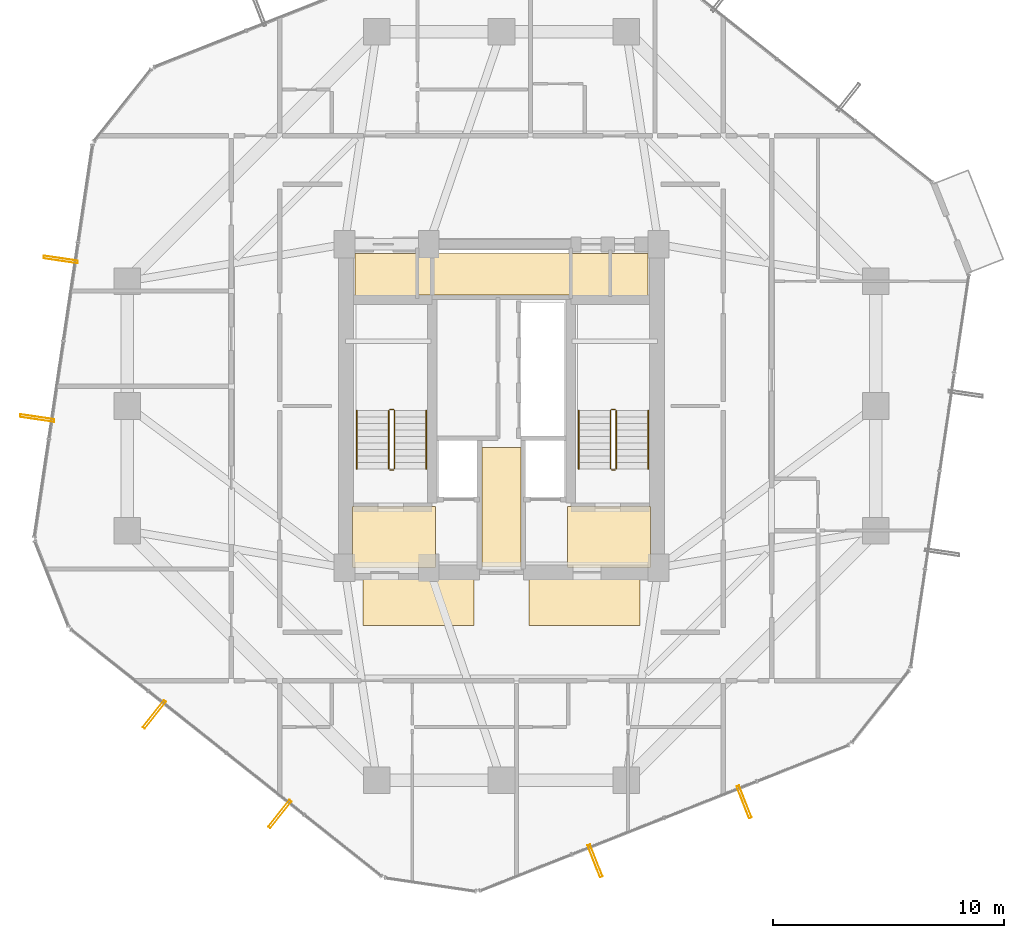
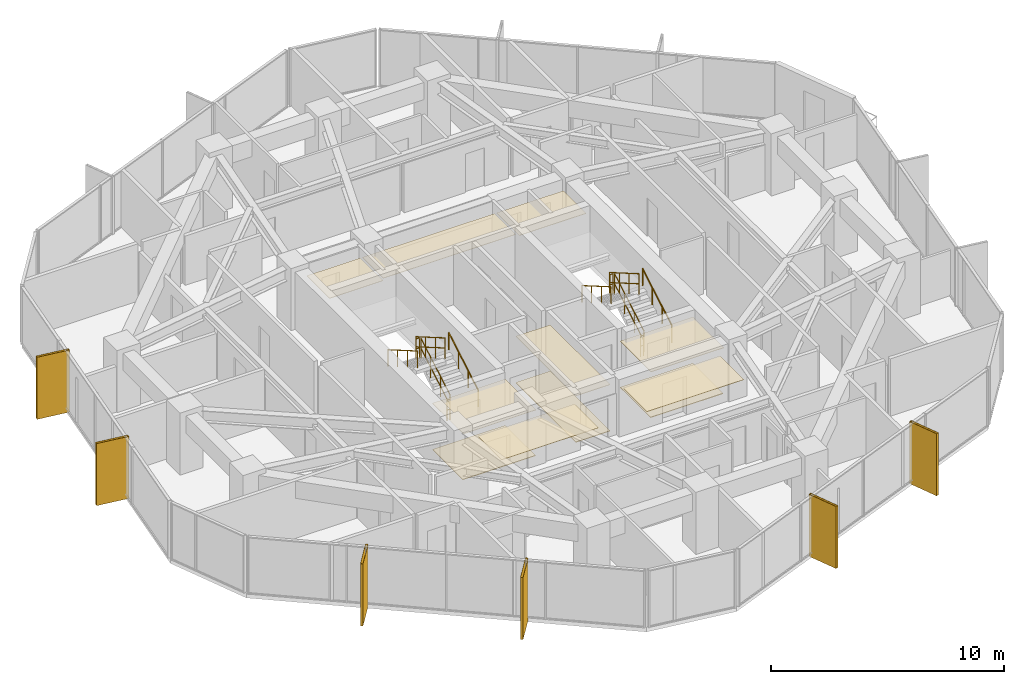
# One storey, part 28 of 29: 12 railings, 11 coverings, 6 shading devices.
"""IFC4 building model written with IfcOpenShell, lengths in metres."""

from ifc_helpers import new_model, si_unit, direction, frame, origin, origin_2d, place, context, subcontext, project, spatial, polyline, hollow_rectangle, circle, outline, extrude, material, layer, layer_set, material_profile, profile_set, type_object, element, save


model = new_model("IFC4")

# Units and contexts
model_context = context("Model", 3, precision=1e-05, world=origin(), true_north=direction((0.0, 1.0)))
body_context = subcontext(model_context, "Body", "Model", "MODEL_VIEW")
ifc_project = project(units=[si_unit("LENGTHUNIT", "METRE"), si_unit("AREAUNIT", "SQUARE_METRE"), si_unit("VOLUMEUNIT", "CUBIC_METRE"), si_unit("PLANEANGLEUNIT", "RADIAN"), si_unit("MASSUNIT", "GRAM", prefix="KILO")], contexts=[model_context])

# Site, building, storey
site_placement = place(None, origin())
site = spatial("IfcSite", under=ifc_project, at=site_placement, CompositionType="ELEMENT")
building_placement = place(site_placement, origin())
building = spatial("IfcBuilding", under=site, at=building_placement, Name="Veraguas Prism Commons", CompositionType="ELEMENT")
storey_placement = place(building_placement, frame((0.0, 0.0, 99.199951171875)))
storey = spatial("IfcBuildingStorey", under=building, at=storey_placement, Name="L27", CompositionType="ELEMENT", Elevation=99.199951171875)

# Shading devices
ifc_material_1 = material(Name="Anodised aluminium EN AW-6063 T6", Category="aluminium")
ifc_material_profile = material_profile(ifc_material_1, hollow_rectangle(XDim=0.1201171875, YDim=1.489990234375, WallThickness=0.006103515625, at=origin_2d()), Name="FIN120X1490X6")
ifc_profile_set = profile_set([ifc_material_profile], Name="Anodised aluminium EN AW-6063 T6")
shading_device_type = type_object("IfcShadingDeviceType", Name="Deep Pale-Metal Vertical Solar Fin 120x1490", PredefinedType="USERDEFINED", material=ifc_profile_set)
for number, where, z_axis, x_axis, name in (
    (1, (4.91650390625, 30.340576171875, -0.22998046875), (0.0, 0.0, 1.0), (-0.14677536171, -0.989169850529, 0.0), "Vertical Pale-Metal Solar Fin L27-F3A"),
    (2, (3.897705078125, 23.47412109375, -0.22998046875), (0.0, 0.0, 1.0), (-0.14677536171, -0.989169850529, 0.0), "Vertical Pale-Metal Solar Fin L27-F3B"),
    (3, (8.96728515625, 10.643310546875, -0.22998046875), (0.0, 0.0, 1.0), (0.783260708484, -0.621693383063, 0.0), "Vertical Pale-Metal Solar Fin L27-F4A"),
    (4, (14.404296875, 6.327880859375, -0.22998046875), (0.0, 0.0, 1.0), (0.783260708484, -0.621693383063, 0.0), "Vertical Pale-Metal Solar Fin L27-F4B"),
    (5, (28.05078125, 4.302978515625, -0.22998046875), (0.0, 0.0, 1.0), (0.930033900071, 0.367473733373, 0.0), "Vertical Pale-Metal Solar Fin L27-F5A"),
    (6, (34.5068359375, 6.853759765625, -0.22998046875), (0.0, 0.0, 1.0), (0.930033900071, 0.367473733373, 0.0), "Vertical Pale-Metal Solar Fin L27-F5B"),
):
    element("IfcShadingDevice", number, at=place(storey_placement, frame(where, z_axis=z_axis, x_axis=x_axis)), inside=storey, type_object=shading_device_type, Name=name, ObjectType="FIN", PredefinedType="USERDEFINED", context=body_context, shape_type="SweptSolid", body=[
        extrude(hollow_rectangle(XDim=0.1201171875, YDim=1.489990234375, WallThickness=0.006103515625, at=origin_2d()), origin(), (0.0, 0.0, 1.0), 3.25),
    ])

# Coverings
ifc_material_2 = material(Name="Acoustic gypsum board")
ifc_layer_1 = layer(ifc_material_2, 0.02490234375, Name="Perforated Acoustic Ceiling Tile 25")
ifc_layer_set_1 = layer_set([ifc_layer_1], Name="Acoustic gypsum board")
covering_type_1 = type_object("IfcCoveringType", Name="Perforated Acoustic Ceiling Tile 25", PredefinedType="USERDEFINED", material=ifc_layer_set_1)
covering_1_placement = place(storey_placement, frame((0.0, 0.0, 2.425048828125)))
element("IfcCovering", 7, at=covering_1_placement, inside=storey, type_object=covering_type_1, Name="East Lobby Acoustic Ceiling L27", ObjectType="ACOUSTIC CEILING", PredefinedType="USERDEFINED", context=body_context, shape_type="SweptSolid", body=[
    extrude(outline(polyline([(26.85009765625, 17.0), (30.449951171875, 17.0), (30.449951171875, 19.64990234375), (26.85009765625, 19.64990234375), (26.85009765625, 17.0)])), origin(), (0.0, 0.0, 1.0), 0.02490234375),
])
ifc_material_3 = material(Name="Terrazzo stone finish", Category="masonry")
ifc_layer_2 = layer(ifc_material_3, 0.030029296875, Name="Polished Terrazzo Floor Finish 30", Category="masonry")
ifc_layer_set_2 = layer_set([ifc_layer_2], Name="Terrazzo stone finish")
covering_type_2 = type_object("IfcCoveringType", Name="Polished Terrazzo Floor Finish 30", PredefinedType="FLOORING", material=ifc_layer_set_2)
covering_2_placement = place(storey_placement, origin())
element("IfcCovering", 8, at=covering_2_placement, inside=storey, type_object=covering_type_2, Name="Terrazzo Lobby Flooring L27", PredefinedType="FLOORING", context=body_context, shape_type="SweptSolid", body=[
    extrude(outline(polyline([(23.14990234375, 17.050048828125), (24.85009765625, 17.050048828125), (24.85009765625, 22.199951171875), (23.14990234375, 22.199951171875), (23.14990234375, 17.050048828125)])), origin(), (0.0, 0.0, 1.0), 0.030029296875),
])
covering_3_placement = place(storey_placement, origin())
element("IfcCovering", 9, at=covering_3_placement, inside=storey, type_object=covering_type_2, Name="West FF Lobby Terrazzo Flooring L27", PredefinedType="FLOORING", context=body_context, shape_type="SweptSolid", body=[
    extrude(outline(polyline([(17.550048828125, 17.050048828125), (21.14990234375, 17.050048828125), (21.14990234375, 19.64990234375), (17.550048828125, 19.64990234375), (17.550048828125, 17.050048828125)])), origin(), (0.0, 0.0, 1.0), 0.030029296875),
])
covering_4_placement = place(storey_placement, origin())
element("IfcCovering", 10, at=covering_4_placement, inside=storey, type_object=covering_type_2, Name="East FF Lobby Terrazzo Flooring L27", PredefinedType="FLOORING", context=body_context, shape_type="SweptSolid", body=[
    extrude(outline(polyline([(26.85009765625, 17.050048828125), (30.449951171875, 17.050048828125), (30.449951171875, 19.64990234375), (26.85009765625, 19.64990234375), (26.85009765625, 17.050048828125)])), origin(), (0.0, 0.0, 1.0), 0.030029296875),
])

# Railings
ifc_material_4 = material(Name="Stainless steel AISI 316", Category="steel")
railing_type_1 = type_object("IfcRailingType", Name="Stair and Ramp Stainless Handrail 900", PredefinedType="HANDRAIL", material=ifc_material_4)
railing_1_placement = place(storey_placement, frame((20.75, 21.280029296875, 0.16259765625)))
element("IfcRailing", 11, at=railing_1_placement, inside=storey, type_object=railing_type_1, Name="Stair Handrail ST-01 L27-1", PredefinedType="HANDRAIL", context=body_context, shape_type="SweptSolid", body=[
    extrude(circle(Radius=0.02392578125, at=origin_2d()), frame((0.0, 0.0, 0.8759765625), z_axis=(0.0, 0.864913338283, 0.50192122615), x_axis=(-1.0, 0.0, 0.0)), (0.0, 0.0, 1.0), 2.91357421875),
    extrude(circle(Radius=0.02099609375, at=origin_2d()), origin(), (0.0, 0.0, 1.0), 0.851806640625),
    extrude(circle(Radius=0.02099609375, at=origin_2d()), frame((0.0, 0.840087890625, 0.487548828125)), (0.0, 0.0, 1.0), 0.851806640625),
    extrude(circle(Radius=0.02099609375, at=origin_2d()), frame((0.0, 1.679931640625, 0.974853515625)), (0.0, 0.0, 1.0), 0.851806640625),
    extrude(circle(Radius=0.02099609375, at=origin_2d()), frame((0.0, 2.52001953125, 1.46240234375)), (0.0, 0.0, 1.0), 0.851806640625),
])
railing_2_placement = place(storey_placement, frame((17.739990234375, 23.800048828125, 1.78759765625)))
element("IfcRailing", 12, at=railing_2_placement, inside=storey, type_object=railing_type_1, Name="Stair Handrail ST-01 L27-2", PredefinedType="HANDRAIL", context=body_context, shape_type="SweptSolid", body=[
    extrude(circle(Radius=0.02392578125, at=origin_2d()), frame((0.0, 0.0, 0.8759765625), z_axis=(0.0, -0.864913338283, 0.50192122615), x_axis=(1.0, 0.0, 0.0)), (0.0, 0.0, 1.0), 2.91357421875),
    extrude(circle(Radius=0.02099609375, at=origin_2d()), origin(), (0.0, 0.0, 1.0), 0.851806640625),
    extrude(circle(Radius=0.02099609375, at=origin_2d()), frame((0.0, -0.840087890625, 0.487548828125)), (0.0, 0.0, 1.0), 0.851806640625),
    extrude(circle(Radius=0.02099609375, at=origin_2d()), frame((0.0, -1.679931640625, 0.974853515625)), (0.0, 0.0, 1.0), 0.851806640625),
    extrude(circle(Radius=0.02099609375, at=origin_2d()), frame((0.0, -2.52001953125, 1.46240234375)), (0.0, 0.0, 1.0), 0.851806640625),
])
railing_3_placement = place(storey_placement, frame((30.35009765625, 21.280029296875, 0.16259765625)))
element("IfcRailing", 13, at=railing_3_placement, inside=storey, type_object=railing_type_1, Name="Stair Handrail ST-02 L27-1", PredefinedType="HANDRAIL", context=body_context, shape_type="SweptSolid", body=[
    extrude(circle(Radius=0.02392578125, at=origin_2d()), frame((0.0, 0.0, 0.8759765625), z_axis=(0.0, 0.864913338283, 0.50192122615), x_axis=(-1.0, 0.0, 0.0)), (0.0, 0.0, 1.0), 2.91357421875),
    extrude(circle(Radius=0.02099609375, at=origin_2d()), origin(), (0.0, 0.0, 1.0), 0.851806640625),
    extrude(circle(Radius=0.02099609375, at=origin_2d()), frame((0.0, 0.840087890625, 0.487548828125)), (0.0, 0.0, 1.0), 0.851806640625),
    extrude(circle(Radius=0.02099609375, at=origin_2d()), frame((0.0, 1.679931640625, 0.974853515625)), (0.0, 0.0, 1.0), 0.851806640625),
    extrude(circle(Radius=0.02099609375, at=origin_2d()), frame((0.0, 2.52001953125, 1.46240234375)), (0.0, 0.0, 1.0), 0.851806640625),
])
railing_4_placement = place(storey_placement, frame((27.340087890625, 23.800048828125, 1.78759765625)))
element("IfcRailing", 14, at=railing_4_placement, inside=storey, type_object=railing_type_1, Name="Stair Handrail ST-02 L27-2", PredefinedType="HANDRAIL", context=body_context, shape_type="SweptSolid", body=[
    extrude(circle(Radius=0.02392578125, at=origin_2d()), frame((0.0, 0.0, 0.8759765625), z_axis=(0.0, -0.864913338283, 0.50192122615), x_axis=(1.0, 0.0, 0.0)), (0.0, 0.0, 1.0), 2.91357421875),
    extrude(circle(Radius=0.02099609375, at=origin_2d()), origin(), (0.0, 0.0, 1.0), 0.851806640625),
    extrude(circle(Radius=0.02099609375, at=origin_2d()), frame((0.0, -0.840087890625, 0.487548828125)), (0.0, 0.0, 1.0), 0.851806640625),
    extrude(circle(Radius=0.02099609375, at=origin_2d()), frame((0.0, -1.679931640625, 0.974853515625)), (0.0, 0.0, 1.0), 0.851806640625),
    extrude(circle(Radius=0.02099609375, at=origin_2d()), frame((0.0, -2.52001953125, 1.46240234375)), (0.0, 0.0, 1.0), 0.851806640625),
])
railing_type_2 = type_object("IfcRailingType", Name="Stairwell Safety Guardrail 1100", PredefinedType="GUARDRAIL", material=ifc_material_4)
railing_5_placement = place(storey_placement, frame((19.3701171875, 21.280029296875, 0.16259765625)))
element("IfcRailing", 15, at=railing_5_placement, inside=storey, type_object=railing_type_2, Name="Stair Guard ST-01 L27-1", PredefinedType="GUARDRAIL", context=body_context, shape_type="SweptSolid", body=[
    extrude(circle(Radius=0.02392578125, at=origin_2d()), frame((0.0, 0.0, 1.076171875), z_axis=(0.0, 0.864913338283, 0.50192122615), x_axis=(-1.0, 0.0, 0.0)), (0.0, 0.0, 1.0), 2.91357421875),
    extrude(circle(Radius=0.02392578125, at=origin_2d()), frame((0.0, 0.0, 0.550048828125), z_axis=(0.0, 0.864913338283, 0.50192122615), x_axis=(-1.0, 0.0, 0.0)), (0.0, 0.0, 1.0), 2.91357421875),
    extrude(circle(Radius=0.02099609375, at=origin_2d()), origin(), (0.0, 0.0, 1.0), 1.052001953125),
    extrude(circle(Radius=0.02099609375, at=origin_2d()), frame((0.0, 0.840087890625, 0.487548828125)), (0.0, 0.0, 1.0), 1.052001953125),
    extrude(circle(Radius=0.02099609375, at=origin_2d()), frame((0.0, 1.679931640625, 0.974853515625)), (0.0, 0.0, 1.0), 1.052001953125),
    extrude(circle(Radius=0.02099609375, at=origin_2d()), frame((0.0, 2.52001953125, 1.46240234375)), (0.0, 0.0, 1.0), 1.052001953125),
])
railing_6_placement = place(storey_placement, frame((19.320068359375, 23.85009765625, 1.625)))
element("IfcRailing", 16, at=railing_6_placement, inside=storey, type_object=railing_type_2, Name="Stair Guard ST-01 L27-2", PredefinedType="GUARDRAIL", context=body_context, shape_type="SweptSolid", body=[
    extrude(circle(Radius=0.02392578125, at=origin_2d()), frame((0.0, 0.0, 1.076171875), z_axis=(-1.0, 0.0, 0.0), x_axis=(0.0, -1.0, 0.0)), (0.0, 0.0, 1.0), 0.150146484375),
    extrude(circle(Radius=0.02392578125, at=origin_2d()), frame((0.0, 0.0, 0.550048828125), z_axis=(-1.0, 0.0, 0.0), x_axis=(0.0, -1.0, 0.0)), (0.0, 0.0, 1.0), 0.150146484375),
    extrude(circle(Radius=0.02099609375, at=origin_2d()), origin(), (0.0, 0.0, 1.0), 1.052001953125),
    extrude(circle(Radius=0.02099609375, at=origin_2d()), frame((-0.150146484375, 0.0, 0.0)), (0.0, 0.0, 1.0), 1.052001953125),
])
railing_7_placement = place(storey_placement, frame((19.1201171875, 23.800048828125, 1.78759765625)))
element("IfcRailing", 17, at=railing_7_placement, inside=storey, type_object=railing_type_2, Name="Stair Guard ST-01 L27-3", PredefinedType="GUARDRAIL", context=body_context, shape_type="SweptSolid", body=[
    extrude(circle(Radius=0.02392578125, at=origin_2d()), frame((0.0, 0.0, 1.076171875), z_axis=(0.0, -0.864913338283, 0.50192122615), x_axis=(1.0, 0.0, 0.0)), (0.0, 0.0, 1.0), 2.91357421875),
    extrude(circle(Radius=0.02392578125, at=origin_2d()), frame((0.0, 0.0, 0.550048828125), z_axis=(0.0, -0.864913338283, 0.50192122615), x_axis=(1.0, 0.0, 0.0)), (0.0, 0.0, 1.0), 2.91357421875),
    extrude(circle(Radius=0.02099609375, at=origin_2d()), origin(), (0.0, 0.0, 1.0), 1.052001953125),
    extrude(circle(Radius=0.02099609375, at=origin_2d()), frame((0.0, -0.840087890625, 0.487548828125)), (0.0, 0.0, 1.0), 1.052001953125),
    extrude(circle(Radius=0.02099609375, at=origin_2d()), frame((0.0, -1.679931640625, 0.974853515625)), (0.0, 0.0, 1.0), 1.052001953125),
    extrude(circle(Radius=0.02099609375, at=origin_2d()), frame((0.0, -2.52001953125, 1.46240234375)), (0.0, 0.0, 1.0), 1.052001953125),
])
railing_8_placement = place(storey_placement, frame((19.320068359375, 21.22998046875, 0.0)))
element("IfcRailing", 18, at=railing_8_placement, inside=storey, type_object=railing_type_2, Name="Stair Guard ST-01 L27-4", PredefinedType="GUARDRAIL", context=body_context, shape_type="SweptSolid", body=[
    extrude(circle(Radius=0.02392578125, at=origin_2d()), frame((0.0, 0.0, 1.076171875), z_axis=(-1.0, 0.0, 0.0), x_axis=(0.0, -1.0, 0.0)), (0.0, 0.0, 1.0), 0.150146484375),
    extrude(circle(Radius=0.02392578125, at=origin_2d()), frame((0.0, 0.0, 0.550048828125), z_axis=(-1.0, 0.0, 0.0), x_axis=(0.0, -1.0, 0.0)), (0.0, 0.0, 1.0), 0.150146484375),
    extrude(circle(Radius=0.02099609375, at=origin_2d()), origin(), (0.0, 0.0, 1.0), 1.052001953125),
    extrude(circle(Radius=0.02099609375, at=origin_2d()), frame((-0.150146484375, 0.0, 0.0)), (0.0, 0.0, 1.0), 1.052001953125),
])
railing_9_placement = place(storey_placement, frame((28.969970703125, 21.280029296875, 0.16259765625)))
element("IfcRailing", 19, at=railing_9_placement, inside=storey, type_object=railing_type_2, Name="Stair Guard ST-02 L27-1", PredefinedType="GUARDRAIL", context=body_context, shape_type="SweptSolid", body=[
    extrude(circle(Radius=0.02392578125, at=origin_2d()), frame((0.0, 0.0, 1.076171875), z_axis=(0.0, 0.864913338283, 0.50192122615), x_axis=(-1.0, 0.0, 0.0)), (0.0, 0.0, 1.0), 2.91357421875),
    extrude(circle(Radius=0.02392578125, at=origin_2d()), frame((0.0, 0.0, 0.550048828125), z_axis=(0.0, 0.864913338283, 0.50192122615), x_axis=(-1.0, 0.0, 0.0)), (0.0, 0.0, 1.0), 2.91357421875),
    extrude(circle(Radius=0.02099609375, at=origin_2d()), origin(), (0.0, 0.0, 1.0), 1.052001953125),
    extrude(circle(Radius=0.02099609375, at=origin_2d()), frame((0.0, 0.840087890625, 0.487548828125)), (0.0, 0.0, 1.0), 1.052001953125),
    extrude(circle(Radius=0.02099609375, at=origin_2d()), frame((0.0, 1.679931640625, 0.974853515625)), (0.0, 0.0, 1.0), 1.052001953125),
    extrude(circle(Radius=0.02099609375, at=origin_2d()), frame((0.0, 2.52001953125, 1.46240234375)), (0.0, 0.0, 1.0), 1.052001953125),
])
railing_10_placement = place(storey_placement, frame((28.919921875, 23.85009765625, 1.625)))
element("IfcRailing", 20, at=railing_10_placement, inside=storey, type_object=railing_type_2, Name="Stair Guard ST-02 L27-2", PredefinedType="GUARDRAIL", context=body_context, shape_type="SweptSolid", body=[
    extrude(circle(Radius=0.02392578125, at=origin_2d()), frame((0.0, 0.0, 1.076171875), z_axis=(-1.0, 0.0, 0.0), x_axis=(0.0, -1.0, 0.0)), (0.0, 0.0, 1.0), 0.14990234375),
    extrude(circle(Radius=0.02392578125, at=origin_2d()), frame((0.0, 0.0, 0.550048828125), z_axis=(-1.0, 0.0, 0.0), x_axis=(0.0, -1.0, 0.0)), (0.0, 0.0, 1.0), 0.14990234375),
    extrude(circle(Radius=0.02099609375, at=origin_2d()), origin(), (0.0, 0.0, 1.0), 1.052001953125),
    extrude(circle(Radius=0.02099609375, at=origin_2d()), frame((-0.14990234375, 0.0, 0.0)), (0.0, 0.0, 1.0), 1.052001953125),
])
railing_11_placement = place(storey_placement, frame((28.719970703125, 23.800048828125, 1.78759765625)))
element("IfcRailing", 21, at=railing_11_placement, inside=storey, type_object=railing_type_2, Name="Stair Guard ST-02 L27-3", PredefinedType="GUARDRAIL", context=body_context, shape_type="SweptSolid", body=[
    extrude(circle(Radius=0.02392578125, at=origin_2d()), frame((0.0, 0.0, 1.076171875), z_axis=(0.0, -0.864913338283, 0.50192122615), x_axis=(1.0, 0.0, 0.0)), (0.0, 0.0, 1.0), 2.91357421875),
    extrude(circle(Radius=0.02392578125, at=origin_2d()), frame((0.0, 0.0, 0.550048828125), z_axis=(0.0, -0.864913338283, 0.50192122615), x_axis=(1.0, 0.0, 0.0)), (0.0, 0.0, 1.0), 2.91357421875),
    extrude(circle(Radius=0.02099609375, at=origin_2d()), origin(), (0.0, 0.0, 1.0), 1.052001953125),
    extrude(circle(Radius=0.02099609375, at=origin_2d()), frame((0.0, -0.840087890625, 0.487548828125)), (0.0, 0.0, 1.0), 1.052001953125),
    extrude(circle(Radius=0.02099609375, at=origin_2d()), frame((0.0, -1.679931640625, 0.974853515625)), (0.0, 0.0, 1.0), 1.052001953125),
    extrude(circle(Radius=0.02099609375, at=origin_2d()), frame((0.0, -2.52001953125, 1.46240234375)), (0.0, 0.0, 1.0), 1.052001953125),
])
railing_12_placement = place(storey_placement, frame((28.919921875, 21.22998046875, 0.0)))
element("IfcRailing", 22, at=railing_12_placement, inside=storey, type_object=railing_type_2, Name="Stair Guard ST-02 L27-4", PredefinedType="GUARDRAIL", context=body_context, shape_type="SweptSolid", body=[
    extrude(circle(Radius=0.02392578125, at=origin_2d()), frame((0.0, 0.0, 1.076171875), z_axis=(-1.0, 0.0, 0.0), x_axis=(0.0, -1.0, 0.0)), (0.0, 0.0, 1.0), 0.14990234375),
    extrude(circle(Radius=0.02392578125, at=origin_2d()), frame((0.0, 0.0, 0.550048828125), z_axis=(-1.0, 0.0, 0.0), x_axis=(0.0, -1.0, 0.0)), (0.0, 0.0, 1.0), 0.14990234375),
    extrude(circle(Radius=0.02099609375, at=origin_2d()), origin(), (0.0, 0.0, 1.0), 1.052001953125),
    extrude(circle(Radius=0.02099609375, at=origin_2d()), frame((-0.14990234375, 0.0, 0.0)), (0.0, 0.0, 1.0), 1.052001953125),
])

# Coverings
ifc_layer_3 = layer(ifc_material_2, 0.02001953125, Name="Suspended Gypsum Ceiling 20")
ifc_layer_set_3 = layer_set([ifc_layer_3], Name="Acoustic gypsum board")
covering_type_3 = type_object("IfcCoveringType", Name="Suspended Gypsum Ceiling 20", PredefinedType="CEILING", material=ifc_layer_set_3)
covering_5_placement = place(storey_placement, frame((0.0, 0.0, 2.429931640625)))
element("IfcCovering", 23, at=covering_5_placement, inside=storey, type_object=covering_type_3, Name="West Lobby Suspended Gypsum Ceiling L27", PredefinedType="CEILING", context=body_context, shape_type="SweptSolid", body=[
    extrude(outline(polyline([(17.550048828125, 17.0), (21.14990234375, 17.0), (21.14990234375, 19.64990234375), (17.550048828125, 19.64990234375), (17.550048828125, 17.0)])), origin(), (0.0, 0.0, 1.0), 0.02001953125),
])
covering_6_placement = place(storey_placement, frame((0.0, 0.0, 2.429931640625)))
element("IfcCovering", 24, at=covering_6_placement, inside=storey, type_object=covering_type_3, Name="Core Lobby Acoustic Ceiling L27-1", PredefinedType="CEILING", context=body_context, shape_type="SweptSolid", body=[
    extrude(outline(polyline([(18.0, 14.5), (22.800048828125, 14.5), (22.800048828125, 16.550048828125), (18.0, 16.550048828125), (18.0, 14.5)])), origin(), (0.0, 0.0, 1.0), 0.02001953125),
])
covering_7_placement = place(storey_placement, frame((0.0, 0.0, 2.429931640625)))
element("IfcCovering", 25, at=covering_7_placement, inside=storey, type_object=covering_type_3, Name="Core Lobby Acoustic Ceiling L27-2", PredefinedType="CEILING", context=body_context, shape_type="SweptSolid", body=[
    extrude(outline(polyline([(25.199951171875, 14.5), (30.0, 14.5), (30.0, 16.550048828125), (25.199951171875, 16.550048828125), (25.199951171875, 14.5)])), origin(), (0.0, 0.0, 1.0), 0.02001953125),
])
covering_8_placement = place(storey_placement, frame((0.0, 0.0, 2.429931640625)))
element("IfcCovering", 26, at=covering_8_placement, inside=storey, type_object=covering_type_3, Name="Core Lobby Acoustic Ceiling L27-3", PredefinedType="CEILING", context=body_context, shape_type="SweptSolid", body=[
    extrude(outline(polyline([(23.14990234375, 17.050048828125), (24.85009765625, 17.050048828125), (24.85009765625, 22.199951171875), (23.14990234375, 22.199951171875), (23.14990234375, 17.050048828125)])), origin(), (0.0, 0.0, 1.0), 0.02001953125),
])
covering_9_placement = place(storey_placement, frame((0.0, 0.0, 2.429931640625)))
element("IfcCovering", 27, at=covering_9_placement, inside=storey, type_object=covering_type_3, Name="Core Lobby Acoustic Ceiling L27-4", PredefinedType="CEILING", context=body_context, shape_type="SweptSolid", body=[
    extrude(outline(polyline([(17.64990234375, 28.64990234375), (20.300048828125, 28.64990234375), (20.300048828125, 30.60009765625), (17.64990234375, 30.60009765625), (17.64990234375, 28.64990234375)])), origin(), (0.0, 0.0, 1.0), 0.02001953125),
])
covering_10_placement = place(storey_placement, frame((0.0, 0.0, 2.429931640625)))
element("IfcCovering", 28, at=covering_10_placement, inside=storey, type_object=covering_type_3, Name="Core Lobby Acoustic Ceiling L27-5", PredefinedType="CEILING", context=body_context, shape_type="SweptSolid", body=[
    extrude(outline(polyline([(27.050048828125, 28.64990234375), (30.35009765625, 28.64990234375), (30.35009765625, 30.60009765625), (27.050048828125, 30.60009765625), (27.050048828125, 28.64990234375)])), origin(), (0.0, 0.0, 1.0), 0.02001953125),
])
covering_11_placement = place(storey_placement, frame((0.0, 0.0, 2.429931640625)))
element("IfcCovering", 29, at=covering_11_placement, inside=storey, type_object=covering_type_3, Name="Core Lobby Acoustic Ceiling L27-6", PredefinedType="CEILING", context=body_context, shape_type="SweptSolid", body=[
    extrude(outline(polyline([(20.39990234375, 28.800048828125), (26.949951171875, 28.800048828125), (26.949951171875, 30.60009765625), (20.39990234375, 30.60009765625), (20.39990234375, 28.800048828125)])), origin(), (0.0, 0.0, 1.0), 0.02001953125),
])

save(model, "model.ifc")
